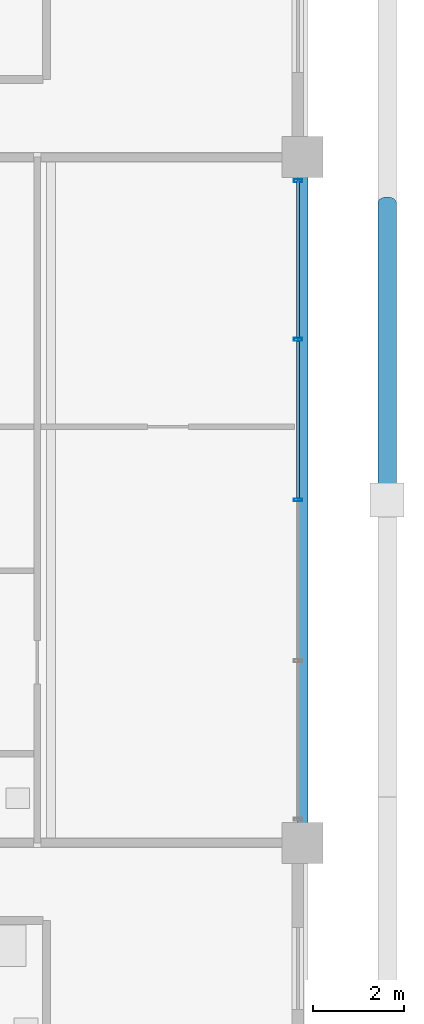
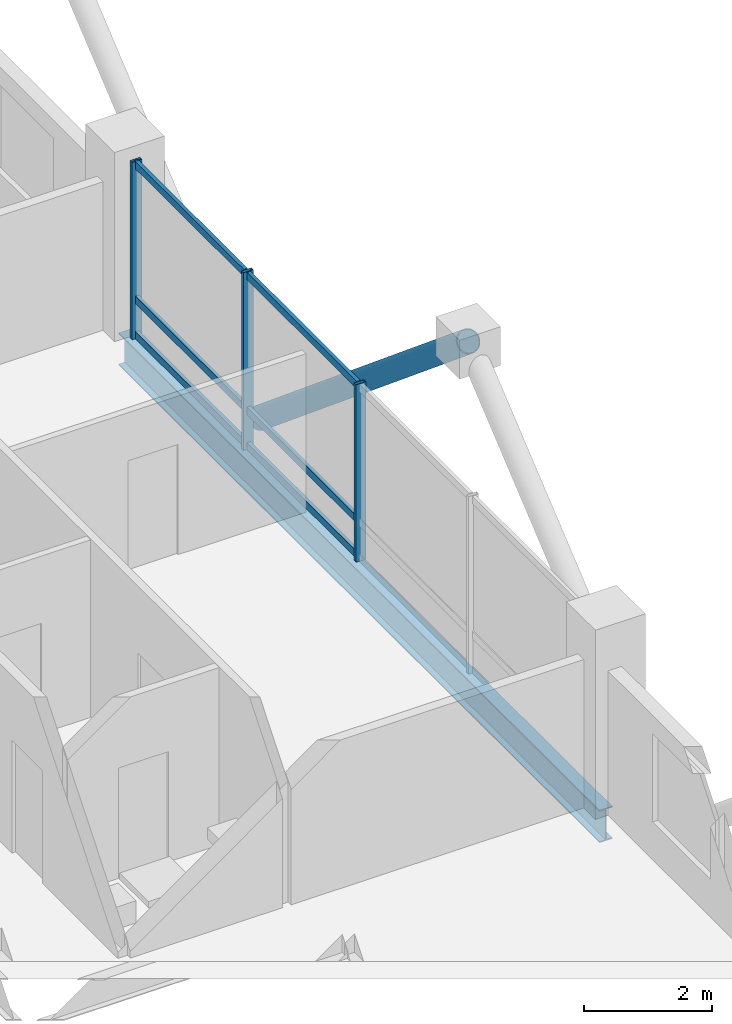
# One storey, part 12 of 23: 10 members, 1 beam, 1 element without a shape of its own.
"""IFC4 building model written with IfcOpenShell, lengths in metres."""

from ifc_helpers import new_model, si_unit, direction, frame, origin, origin_2d, place, context, subcontext, project, spatial, hollow_rectangle, hollow_circle, i_section, extrude, material, layer, layer_set, material_profile, profile_set, type_object, element, aggregate, save


model = new_model("IFC4")

# Units and contexts
model_context = context("Model", 3, precision=1e-05, world=origin(), true_north=direction((0.0, 1.0)))
body_context = subcontext(model_context, "Body", "Model", "MODEL_VIEW")
ifc_project = project(units=[si_unit("LENGTHUNIT", "METRE"), si_unit("AREAUNIT", "SQUARE_METRE"), si_unit("VOLUMEUNIT", "CUBIC_METRE"), si_unit("PLANEANGLEUNIT", "RADIAN"), si_unit("MASSUNIT", "GRAM", prefix="KILO")], contexts=[model_context])

# Site, building, storey
site_placement = place(None, origin())
site = spatial("IfcSite", under=ifc_project, at=site_placement, CompositionType="ELEMENT")
building_placement = place(site_placement, origin())
building = spatial("IfcBuilding", under=site, at=building_placement, Name="Barlavira Tower and Art Museum", CompositionType="ELEMENT")
storey_placement = place(building_placement, frame((0.0, 0.0, 236.699951171875)))
storey = spatial("IfcBuildingStorey", under=building, at=storey_placement, Name="L61", CompositionType="ELEMENT", Elevation=236.699951171875)

# Curtain wall, members
ifc_material_1 = material(Name="Low-iron coastal laminated glass", Category="glass")
ifc_layer = layer(ifc_material_1, 0.2099609375, Name="Low-iron coastal laminated glass")
ifc_layer_set = layer_set([ifc_layer], Name="Low-iron coastal laminated glass")
curtain_wall_type = type_object("IfcCurtainWallType", Name="Pale-Metal Unitised Curtain Wall Zone 4", PredefinedType="NOTDEFINED", material=ifc_layer_set)
curtain_wall_placement = place(storey_placement, origin())
curtain_wall = element("IfcCurtainWall", 1, at=curtain_wall_placement, inside=storey, type_object=curtain_wall_type, Name="L61 Curtain Wall CW4-L61-E-B3", PredefinedType="NOTDEFINED")
ifc_material_2 = material(Name="Pale anodised aluminium", Category="aluminium")
ifc_material_profile_1 = material_profile(ifc_material_2, hollow_rectangle(XDim=0.06494140625, YDim=0.179931640625, WallThickness=0.00390625, at=origin_2d()), Name="ALU-MULL 65x180x4")
ifc_profile_set_1 = profile_set([ifc_material_profile_1], Name="Pale anodised aluminium")
member_type_1 = type_object("IfcMemberType", Name="Curtain Wall Pale-Metal Mullion 65x180", PredefinedType="MULLION", material=ifc_profile_set_1)
member_1_placement = place(storey_placement, frame((16.89990234375, 0.0, 0.0), z_axis=(0.0, 0.0, 1.0), x_axis=(0.0, 1.0, 0.0)))
member_1 = element("IfcMember", 2, at=member_1_placement, type_object=member_type_1, Name="CW4-L61-E-B3 Mullion 2", PredefinedType="MULLION", context=body_context, shape_type="SweptSolid", body=[
    extrude(hollow_rectangle(XDim=0.06494140625, YDim=0.179931640625, WallThickness=0.00390625, at=origin_2d()), origin(), (0.0, 0.0, 1.0), 3.380126953125),
])
member_2_placement = place(storey_placement, frame((16.89990234375, 3.514892578125, 0.0), z_axis=(0.0, 0.0, 1.0), x_axis=(0.0, 1.0, 0.0)))
member_2 = element("IfcMember", 3, at=member_2_placement, type_object=member_type_1, Name="CW4-L61-E-B3 Mullion 3", PredefinedType="MULLION", context=body_context, shape_type="SweptSolid", body=[
    extrude(hollow_rectangle(XDim=0.06494140625, YDim=0.179931640625, WallThickness=0.00390625, at=origin_2d()), origin(), (0.0, 0.0, 1.0), 3.380126953125),
])
member_3_placement = place(storey_placement, frame((16.89990234375, 6.985107421875, 0.0), z_axis=(0.0, 0.0, 1.0), x_axis=(0.0, 1.0, 0.0)))
member_3 = element("IfcMember", 4, at=member_3_placement, type_object=member_type_1, Name="CW4-L61-E-B3 Mullion 4", PredefinedType="MULLION", context=body_context, shape_type="SweptSolid", body=[
    extrude(hollow_rectangle(XDim=0.06494140625, YDim=0.179931640625, WallThickness=0.00390625, at=origin_2d()), origin(), (0.0, 0.0, 1.0), 3.380126953125),
])
ifc_material_profile_2 = material_profile(ifc_material_2, hollow_rectangle(XDim=0.06494140625, YDim=0.139892578125, WallThickness=0.00390625, at=origin_2d()), Name="ALU-TRAN 65x140x4")
ifc_profile_set_2 = profile_set([ifc_material_profile_2], Name="Pale anodised aluminium")
member_type_2 = type_object("IfcMemberType", Name="Curtain Wall Pale-Metal Transom 65x140", PredefinedType="USERDEFINED", material=ifc_profile_set_2)
member_4_placement = place(storey_placement, frame((16.89990234375, 0.044921875, 0.070068359375), z_axis=(0.0, 1.0, 0.0), x_axis=(-1.0, 0.0, 0.0)))
member_4 = element("IfcMember", 5, at=member_4_placement, type_object=member_type_2, Name="CW4-L61-E-B3 Transom 2.1", ObjectType="TRANSOM", PredefinedType="USERDEFINED", context=body_context, shape_type="SweptSolid", body=[
    extrude(hollow_rectangle(XDim=0.06494140625, YDim=0.139892578125, WallThickness=0.00390625, at=origin_2d()), origin(), (0.0, 0.0, 1.0), 3.425048828125),
])
member_5_placement = place(storey_placement, frame((16.89990234375, 0.044921875, 0.744140625), z_axis=(0.0, 1.0, 0.0), x_axis=(-1.0, 0.0, 0.0)))
member_5 = element("IfcMember", 6, at=member_5_placement, type_object=member_type_2, Name="CW4-L61-E-B3 Transom 2.2", ObjectType="TRANSOM", PredefinedType="USERDEFINED", context=body_context, shape_type="SweptSolid", body=[
    extrude(hollow_rectangle(XDim=0.06494140625, YDim=0.139892578125, WallThickness=0.00390625, at=origin_2d()), origin(), (0.0, 0.0, 1.0), 3.425048828125),
])
member_6_placement = place(storey_placement, frame((16.89990234375, 0.044921875, 3.31005859375), z_axis=(0.0, 1.0, 0.0), x_axis=(-1.0, 0.0, 0.0)))
member_6 = element("IfcMember", 7, at=member_6_placement, type_object=member_type_2, Name="CW4-L61-E-B3 Transom 2.3", ObjectType="TRANSOM", PredefinedType="USERDEFINED", context=body_context, shape_type="SweptSolid", body=[
    extrude(hollow_rectangle(XDim=0.06494140625, YDim=0.139892578125, WallThickness=0.00390625, at=origin_2d()), origin(), (0.0, 0.0, 1.0), 3.425048828125),
])
member_7_placement = place(storey_placement, frame((16.89990234375, 3.56005859375, 0.070068359375), z_axis=(0.0, 1.0, 0.0), x_axis=(-1.0, 0.0, 0.0)))
member_7 = element("IfcMember", 8, at=member_7_placement, type_object=member_type_2, Name="CW4-L61-E-B3 Transom 3.1", ObjectType="TRANSOM", PredefinedType="USERDEFINED", context=body_context, shape_type="SweptSolid", body=[
    extrude(hollow_rectangle(XDim=0.06494140625, YDim=0.139892578125, WallThickness=0.00390625, at=origin_2d()), origin(), (0.0, 0.0, 1.0), 3.425048828125),
])
member_8_placement = place(storey_placement, frame((16.89990234375, 3.56005859375, 0.744140625), z_axis=(0.0, 1.0, 0.0), x_axis=(-1.0, 0.0, 0.0)))
member_8 = element("IfcMember", 9, at=member_8_placement, type_object=member_type_2, Name="CW4-L61-E-B3 Transom 3.2", ObjectType="TRANSOM", PredefinedType="USERDEFINED", context=body_context, shape_type="SweptSolid", body=[
    extrude(hollow_rectangle(XDim=0.06494140625, YDim=0.139892578125, WallThickness=0.00390625, at=origin_2d()), origin(), (0.0, 0.0, 1.0), 3.425048828125),
])
member_9_placement = place(storey_placement, frame((16.89990234375, 3.56005859375, 3.31005859375), z_axis=(0.0, 1.0, 0.0), x_axis=(-1.0, 0.0, 0.0)))
member_9 = element("IfcMember", 10, at=member_9_placement, type_object=member_type_2, Name="CW4-L61-E-B3 Transom 3.3", ObjectType="TRANSOM", PredefinedType="USERDEFINED", context=body_context, shape_type="SweptSolid", body=[
    extrude(hollow_rectangle(XDim=0.06494140625, YDim=0.139892578125, WallThickness=0.00390625, at=origin_2d()), origin(), (0.0, 0.0, 1.0), 3.425048828125),
])
aggregate(curtain_wall, [member_1, member_2, member_3, member_4, member_5, member_6, member_7, member_8, member_9])

# Member
ifc_material_3 = material(Name="Steel S355", Category="steel")
ifc_material_profile_3 = material_profile(ifc_material_3, hollow_circle(Radius=0.203125, WallThickness=0.01611328125, at=origin_2d()), Name="CHS 406.4x16.0")
ifc_profile_set_3 = profile_set([ifc_material_profile_3], Name="Steel S355")
member_type_3 = type_object("IfcMemberType", Name="Pale-Metal Exoskeleton Diagrid Tube CHS 406x16 Steel S355", PredefinedType="BRACE", material=ifc_profile_set_3)
member_10_placement = place(storey_placement, frame((18.85009765625, 6.5, -1.919921875), z_axis=(0.0, -0.769196053329, 0.639012857104), x_axis=(1.0, 0.0, 0.0)))
element("IfcMember", 11, at=member_10_placement, inside=storey, type_object=member_type_3, Name="L61 Exoskeleton Diagrid Tube E", PredefinedType="BRACE", context=body_context, shape_type="SweptSolid", body=[
    extrude(hollow_circle(Radius=0.203125, WallThickness=0.01611328125, at=origin_2d()), origin(), (0.0, 0.0, 1.0), 8.450439453125),
])

# Beam
ifc_material_profile_4 = material_profile(ifc_material_3, i_section(OverallWidth=0.22998046875, OverallDepth=0.616943359375, WebThickness=0.01318359375, FlangeThickness=0.022216796875, at=origin_2d()), Name="W610x140.0")
ifc_profile_set_4 = profile_set([ifc_material_profile_4], Name="Steel S355")
beam_type = type_object("IfcBeamType", Name="Upper Shaft Spandrel Edge Beam W610x140 Steel S355", PredefinedType="SPANDREL", material=ifc_profile_set_4)
beam_placement = place(storey_placement, frame((17.0, -7.5, -0.528564453125), z_axis=(0.0, 1.0, 0.0), x_axis=(-1.0, 0.0, 0.0)))
element("IfcBeam", 12, at=beam_placement, inside=storey, type_object=beam_type, Name="L61 Spandrel 6", PredefinedType="SPANDREL", context=body_context, shape_type="SweptSolid", body=[
    extrude(i_section(OverallWidth=0.22998046875, OverallDepth=0.616943359375, WebThickness=0.01318359375, FlangeThickness=0.022216796875, at=origin_2d()), origin(), (0.0, 0.0, 1.0), 15.0),
])

save(model, "model.ifc")
